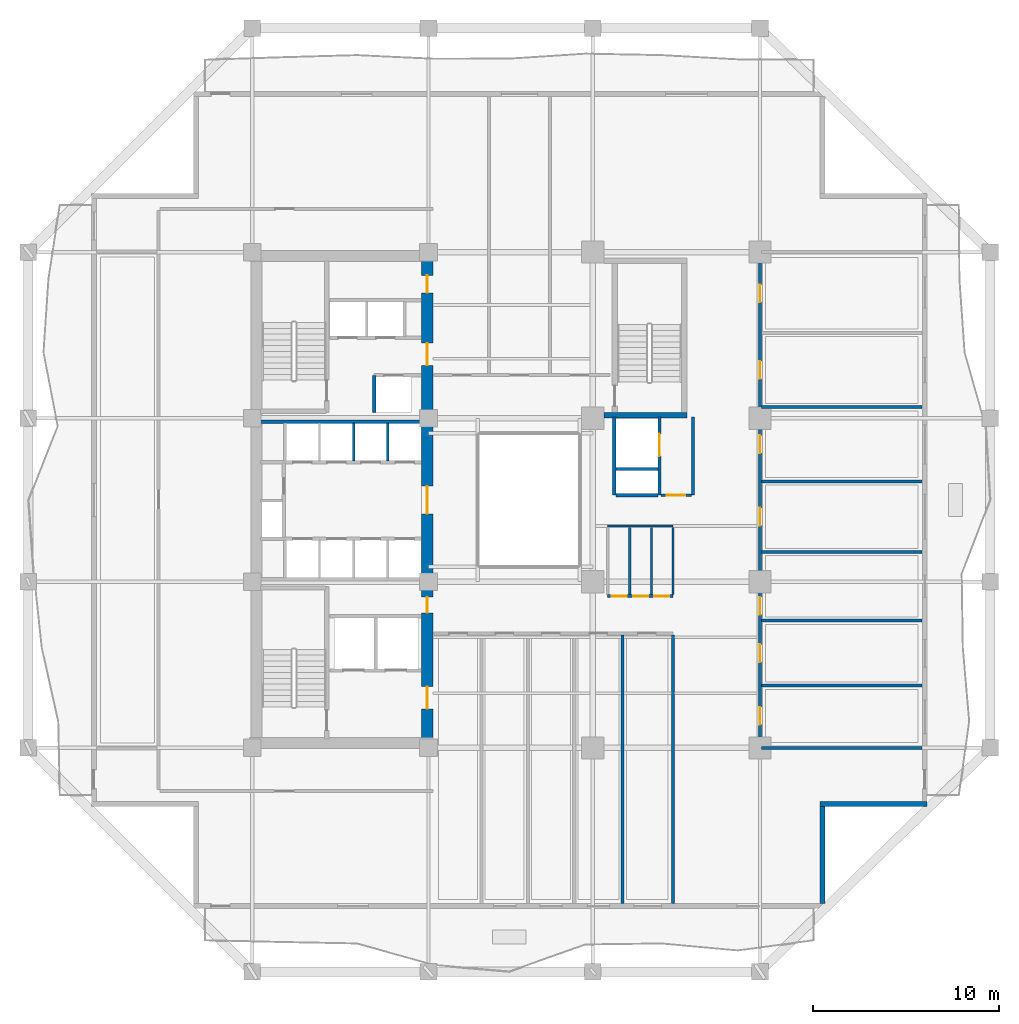
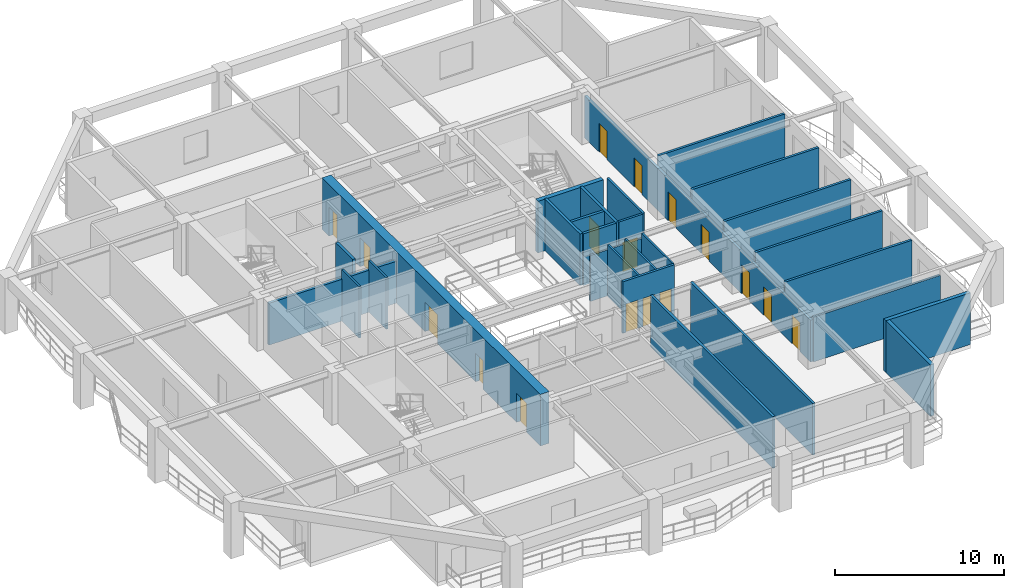
# One storey, part 4 of 13: 28 walls, 17 doors, 17 openings.
"""IFC4 building model written with IfcOpenShell, lengths in metres."""

from ifc_helpers import new_model, si_unit, direction, frame, frame_2d, origin, place, context, subcontext, project, spatial, rectangle, extrude, material, layer, layer_set, type_object, element, fill, save


model = new_model("IFC4")

# Units and contexts
model_context = context("Model", 3, precision=1e-05, world=origin(), true_north=direction((0.0, 1.0)))
body_context = subcontext(model_context, "Body", "Model", "MODEL_VIEW")
ifc_project = project(units=[si_unit("LENGTHUNIT", "METRE"), si_unit("AREAUNIT", "SQUARE_METRE"), si_unit("VOLUMEUNIT", "CUBIC_METRE"), si_unit("PLANEANGLEUNIT", "RADIAN"), si_unit("MASSUNIT", "GRAM", prefix="KILO")], contexts=[model_context])

# Site, building, storey
site_placement = place(None, origin())
site = spatial("IfcSite", under=ifc_project, at=site_placement, CompositionType="ELEMENT")
building_placement = place(site_placement, origin())
building = spatial("IfcBuilding", under=site, at=building_placement, Name="Kundavana Baori Tower", CompositionType="ELEMENT")
storey_placement = place(building_placement, frame((0.0, 0.0, 66.0)))
storey = spatial("IfcBuildingStorey", under=building, at=storey_placement, Name="L15", CompositionType="ELEMENT", Elevation=66.0)

# Wall, openings, doors
ifc_material_1 = material(Name="Concrete C60/75", Category="concrete")
ifc_layer_1 = layer(ifc_material_1, 0.60009765625, Name="WL-CORE-600")
ifc_layer_set_1 = layer_set([ifc_layer_1], Name="Concrete C60/75")
wall_type_1 = type_object("IfcWallType", Name="WL-CORE-600", PredefinedType="SHEAR", material=ifc_layer_set_1)
wall_1_placement = place(storey_placement, frame((24.8798828125, 15.739990234375, 0.0), z_axis=(0.0, 0.0, 1.0), x_axis=(0.0, 1.0, 0.0)))
wall_1 = element("IfcWall", 1, at=wall_1_placement, inside=storey, type_object=wall_type_1, Name="L15 Offset Core East Shear Wall", PredefinedType="SHEAR", context=body_context, shape_type="SweptSolid", body=[
    extrude(rectangle(XDim=25.760009765625, YDim=0.60009765625, at=frame_2d((12.8798828125, 0.0))), origin(), (0.0, 0.0, 1.0), 3.719970703125),
])
opening_1_placement = place(wall_1_placement, frame((1.610107421875, 0.0, 0.0)))
opening_1 = element("IfcOpeningElement", 2, at=opening_1_placement, cuts=wall_1, Name="Opening FD-120", PredefinedType="OPENING", context=body_context, shape_type="SweptSolid", body=[
    extrude(rectangle(XDim=1.199951171875, YDim=2.10009765625, at=frame_2d((0.60009765625, 1.050048828125))), frame((0.0, 0.31005859375, 0.0), z_axis=(0.0, -1.0, 0.0), x_axis=(1.0, 0.0, 0.0)), (0.0, 0.0, 1.0), 0.6201171875),
])
opening_2_placement = place(wall_1_placement, frame((6.780029296875, 0.0, 0.0)))
opening_2 = element("IfcOpeningElement", 3, at=opening_2_placement, cuts=wall_1, Name="Opening FD-085", PredefinedType="OPENING", context=body_context, shape_type="SweptSolid", body=[
    extrude(rectangle(XDim=0.85009765625, YDim=2.06005859375, at=frame_2d((0.425048828125, 1.030029296875))), frame((0.0, 0.31005859375, 0.0), z_axis=(0.0, -1.0, 0.0), x_axis=(1.0, 0.0, 0.0)), (0.0, 0.0, 1.0), 0.6201171875),
])
opening_3_placement = place(wall_1_placement, frame((12.110107421875, 0.0, 0.0)))
opening_3 = element("IfcOpeningElement", 4, at=opening_3_placement, cuts=wall_1, Name="Opening FD-150", PredefinedType="OPENING", context=body_context, shape_type="SweptSolid", body=[
    extrude(rectangle(XDim=1.5, YDim=2.1201171875, at=frame_2d((0.75, 1.06005859375))), frame((0.0, 0.31005859375, 0.0), z_axis=(0.0, -1.0, 0.0), x_axis=(1.0, 0.0, 0.0)), (0.0, 0.0, 1.0), 0.6201171875),
])
opening_4_placement = place(wall_1_placement, frame((20.110107421875, 0.0, 0.0)))
opening_4 = element("IfcOpeningElement", 5, at=opening_4_placement, cuts=wall_1, Name="Opening FD-122", PredefinedType="OPENING", context=body_context, shape_type="SweptSolid", body=[
    extrude(rectangle(XDim=1.199951171875, YDim=2.1201171875, at=frame_2d((0.60009765625, 1.06005859375))), frame((0.0, 0.31005859375, 0.0), z_axis=(0.0, -1.0, 0.0), x_axis=(1.0, 0.0, 0.0)), (0.0, 0.0, 1.0), 0.6201171875),
])
opening_5_placement = place(wall_1_placement, frame((24.010009765625, 0.0, 0.0)))
opening_5 = element("IfcOpeningElement", 6, at=opening_5_placement, cuts=wall_1, Name="Opening FD-095", PredefinedType="OPENING", context=body_context, shape_type="SweptSolid", body=[
    extrude(rectangle(XDim=0.949951171875, YDim=2.10009765625, at=frame_2d((0.47509765625, 1.050048828125))), frame((0.0, 0.31005859375, 0.0), z_axis=(0.0, -1.0, 0.0), x_axis=(1.0, 0.0, 0.0)), (0.0, 0.0, 1.0), 0.6201171875),
])
ifc_material_2 = material(Name="Galvanised Steel Fire-Rated Door Leaf", Category="steel")
door_type_1 = type_object("IfcDoorType", Name="DR-FD120-1200", OperationType="NOTDEFINED", PredefinedType="DOOR", material=ifc_material_2)
door_1_placement = place(opening_1_placement, frame((1.199951171875, 0.0, 0.0), z_axis=(0.0, 0.0, 1.0), x_axis=(-1.0, 0.0, 0.0)))
door_1 = element("IfcDoor", 7, at=door_1_placement, inside=storey, type_object=door_type_1, Name="DR-L15-FFLOB-E", OperationType="SINGLE_SWING_RIGHT", OverallHeight=2.10009765625, OverallWidth=1.199951171875, PredefinedType="DOOR", context=body_context, shape_type="SweptSolid", body=[
    extrude(rectangle(XDim=1.199951171875, YDim=2.10009765625, at=frame_2d((0.60009765625, 1.050048828125))), frame((0.0, 0.02490234375, 0.0), z_axis=(0.0, -1.0, 0.0), x_axis=(1.0, 0.0, 0.0)), (0.0, 0.0, 1.0), 0.050048828125),
])
fill(opening_1, door_1)
ifc_material_3 = material(Name="Galvanised Steel Fire-Rated Door Leaf", Category="steel")
door_type_2 = type_object("IfcDoorType", Name="DR-FD60-1200", OperationType="NOTDEFINED", PredefinedType="DOOR", material=ifc_material_3)
door_2_placement = place(opening_4_placement, frame((1.199951171875, 0.0, 0.0), z_axis=(0.0, 0.0, 1.0), x_axis=(-1.0, 0.0, 0.0)))
door_2 = element("IfcDoor", 8, at=door_2_placement, inside=storey, type_object=door_type_2, Name="DR-L15-HRLOB-E", OperationType="SINGLE_SWING_RIGHT", OverallHeight=2.1201171875, OverallWidth=1.199951171875, PredefinedType="DOOR", context=body_context, shape_type="SweptSolid", body=[
    extrude(rectangle(XDim=1.199951171875, YDim=2.1201171875, at=frame_2d((0.60009765625, 1.06005859375))), frame((0.0, 0.02490234375, 0.0), z_axis=(0.0, -1.0, 0.0), x_axis=(1.0, 0.0, 0.0)), (0.0, 0.0, 1.0), 0.050048828125),
])
fill(opening_4, door_2)
ifc_material_4 = material(Name="Galvanised Steel Fire-Rated Door Leaf", Category="steel")
door_type_3 = type_object("IfcDoorType", Name="DR-FD60-1500", OperationType="NOTDEFINED", PredefinedType="DOOR", material=ifc_material_4)
door_3_placement = place(opening_3_placement, frame((1.5, 0.0, 0.0), z_axis=(0.0, 0.0, 1.0), x_axis=(-1.0, 0.0, 0.0)))
door_3 = element("IfcDoor", 9, at=door_3_placement, inside=storey, type_object=door_type_3, Name="DR-L15-LIFTHALL-E", OperationType="SINGLE_SWING_LEFT", OverallHeight=2.1201171875, OverallWidth=1.5, PredefinedType="DOOR", context=body_context, shape_type="SweptSolid", body=[
    extrude(rectangle(XDim=1.5, YDim=2.1201171875, at=frame_2d((0.75, 1.06005859375))), frame((0.0, 0.02490234375, 0.0), z_axis=(0.0, -1.0, 0.0), x_axis=(1.0, 0.0, 0.0)), (0.0, 0.0, 1.0), 0.050048828125),
])
fill(opening_3, door_3)
ifc_material_5 = material(Name="Galvanised Steel Fire-Rated Door Leaf", Category="steel")
door_type_4 = type_object("IfcDoorType", Name="DR-FD60-850", OperationType="NOTDEFINED", PredefinedType="DOOR", material=ifc_material_5)
door_4_placement = place(opening_2_placement, frame((0.85009765625, 0.0, 0.0), z_axis=(0.0, 0.0, 1.0), x_axis=(-1.0, 0.0, 0.0)))
door_4 = element("IfcDoor", 10, at=door_4_placement, inside=storey, type_object=door_type_4, Name="DR-L15-CSMK1", OperationType="SINGLE_SWING_LEFT", OverallHeight=2.06005859375, OverallWidth=0.85009765625, PredefinedType="DOOR", context=body_context, shape_type="SweptSolid", body=[
    extrude(rectangle(XDim=0.85009765625, YDim=2.06005859375, at=frame_2d((0.425048828125, 1.030029296875))), frame((0.0, 0.02490234375, 0.0), z_axis=(0.0, -1.0, 0.0), x_axis=(1.0, 0.0, 0.0)), (0.0, 0.0, 1.0), 0.050048828125),
])
fill(opening_2, door_4)
ifc_material_6 = material(Name="Engineered Teak Fire-Rated Timber Door Leaf", Category="wood")
door_type_5 = type_object("IfcDoorType", Name="DR-FD60-950", OperationType="NOTDEFINED", PredefinedType="DOOR", material=ifc_material_6)
door_5_placement = place(opening_5_placement, frame((0.949951171875, 0.0, 0.0), z_axis=(0.0, 0.0, 1.0), x_axis=(-1.0, 0.0, 0.0)))
door_5 = element("IfcDoor", 11, at=door_5_placement, inside=storey, type_object=door_type_5, Name="DR-L15-CSRV1", OperationType="SINGLE_SWING_LEFT", OverallHeight=2.10009765625, OverallWidth=0.949951171875, PredefinedType="DOOR", context=body_context, shape_type="SweptSolid", body=[
    extrude(rectangle(XDim=0.949951171875, YDim=2.10009765625, at=frame_2d((0.47509765625, 1.050048828125))), frame((0.0, 0.02490234375, 0.0), z_axis=(0.0, -1.0, 0.0), x_axis=(1.0, 0.0, 0.0)), (0.0, 0.0, 1.0), 0.050048828125),
])
fill(opening_5, door_5)

# Walls
ifc_material_7 = material(Name="Kiln-Fired Terracotta Brick-Slip Masonry on Concrete C40/50", Category="masonry")
ifc_layer_2 = layer(ifc_material_7, 0.260009765625, Name="WL-EXT-BRK-260")
ifc_layer_set_2 = layer_set([ifc_layer_2], Name="Kiln-Fired Terracotta Brick-Slip Masonry on Concrete C40/50")
wall_type_2 = type_object("IfcWallType", Name="WL-EXT-BRK-260", PredefinedType="SOLIDWALL", material=ifc_layer_set_2)
wall_2_placement = place(storey_placement, frame((46.169921875, 6.860107421875, 0.0), z_axis=(0.0, 0.0, 1.0), x_axis=(0.0, 1.0, 0.0)))
element("IfcWall", 12, at=wall_2_placement, inside=storey, type_object=wall_type_2, Name="L15 Exterior Insulated Facade Wall 02", PredefinedType="SOLIDWALL", context=body_context, shape_type="SweptSolid", body=[
    extrude(rectangle(XDim=5.239990234375, YDim=0.260009765625, at=frame_2d((2.6201171875, 0.0))), origin(), (0.0, 0.0, 1.0), 3.719970703125),
])
wall_3_placement = place(storey_placement, frame((46.0400390625, 12.22998046875, 0.0), z_axis=(0.0, 0.0, 1.0), x_axis=(1.0, 0.0, 0.0)))
element("IfcWall", 13, at=wall_3_placement, inside=storey, type_object=wall_type_2, Name="L15 Exterior Insulated Facade Wall 03", PredefinedType="SOLIDWALL", context=body_context, shape_type="SweptSolid", body=[
    extrude(rectangle(XDim=5.760009765625, YDim=0.260009765625, at=frame_2d((2.8798828125, 0.0))), origin(), (0.0, 0.0, 1.0), 3.719970703125),
])
ifc_material_8 = material(Name="Acoustic Gypsum Plasterboard on Galvanised Steel Studs", Category="steel")
ifc_layer_3 = layer(ifc_material_8, 0.1201171875, Name="WL-PART-120")
ifc_layer_set_3 = layer_set([ifc_layer_3], Name="Acoustic Gypsum Plasterboard on Galvanised Steel Studs")
wall_type_3 = type_object("IfcWallType", Name="WL-PART-120", PredefinedType="PARTITIONING", material=ifc_layer_set_3)
for number, where, z_axis, x_axis, name in (
    (14, (20.919921875, 30.699951171875, 0.0), (0.0, 0.0, 1.0), (0.0, 1.0, 0.0), "WL-L15-LPMID-D2"),
    (15, (22.760009765625, 30.699951171875, 0.0), (0.0, 0.0, 1.0), (0.0, 1.0, 0.0), "WL-L15-LPMID-D3"),
):
    element("IfcWall", number, at=place(storey_placement, frame(where, z_axis=z_axis, x_axis=x_axis)), inside=storey, type_object=wall_type_3, Name=name, PredefinedType="PARTITIONING", context=body_context, shape_type="SweptSolid", body=[
        extrude(rectangle(XDim=2.050048828125, YDim=0.1201171875, at=frame_2d((1.02490234375, 0.0))), origin(), (0.0, 0.0, 1.0), 3.719970703125),
    ])
ifc_material_9 = material(Name="Fire-Rated Gypsum Drywall on Galvanised Steel Studs", Category="steel")
ifc_layer_4 = layer(ifc_material_9, 0.14990234375, Name="WL-PART-150")
ifc_layer_set_4 = layer_set([ifc_layer_4], Name="Fire-Rated Gypsum Drywall on Galvanised Steel Studs")
wall_type_4 = type_object("IfcWallType", Name="WL-PART-150", PredefinedType="PARTITIONING", material=ifc_layer_set_4)
wall_4_placement = place(storey_placement, frame((39.199951171875, 28.860107421875, 0.0), z_axis=(0.0, 0.0, 1.0), x_axis=(0.0, 1.0, 0.0)))
element("IfcWall", 16, at=wall_4_placement, inside=storey, type_object=wall_type_4, Name="WL-L15-SVLOB-E", PredefinedType="PARTITIONING", context=body_context, shape_type="SweptSolid", body=[
    extrude(rectangle(XDim=4.219970703125, YDim=0.14990234375, at=frame_2d((2.10986328125, 0.0))), origin(), (0.0, 0.0, 1.0), 3.719970703125),
])

# Wall, opening, door
wall_5_placement = place(storey_placement, frame((37.47998046875, 28.860107421875, 0.0), z_axis=(0.0, 0.0, 1.0), x_axis=(1.0, 0.0, 0.0)))
wall_5 = element("IfcWall", 17, at=wall_5_placement, inside=storey, type_object=wall_type_4, Name="WL-L15-SVLOB-S", PredefinedType="PARTITIONING", context=body_context, shape_type="SweptSolid", body=[
    extrude(rectangle(XDim=1.64013671875, YDim=0.14990234375, at=frame_2d((0.820068359375, 0.0))), origin(), (0.0, 0.0, 1.0), 3.719970703125),
])
opening_6_placement = place(wall_5_placement, frame((0.300048828125, 0.0, 0.0)))
opening_6 = element("IfcOpeningElement", 18, at=opening_6_placement, cuts=wall_5, Name="Opening FD-100", PredefinedType="OPENING", context=body_context, shape_type="SweptSolid", body=[
    extrude(rectangle(XDim=1.0, YDim=2.10009765625, at=frame_2d((0.5, 1.050048828125))), frame((0.0, 0.0849609375, 0.0), z_axis=(0.0, -1.0, 0.0), x_axis=(1.0, 0.0, 0.0)), (0.0, 0.0, 1.0), 0.169921875),
])
ifc_material_10 = material(Name="Engineered Teak Fire-Rated Timber Door Leaf", Category="wood")
door_type_6 = type_object("IfcDoorType", Name="DR-FD60-1000", OperationType="NOTDEFINED", PredefinedType="DOOR", material=ifc_material_10)
door_6_placement = place(opening_6_placement, origin())
door_6 = element("IfcDoor", 19, at=door_6_placement, inside=storey, type_object=door_type_6, Name="DR-L15-SVLOB-OUT", OperationType="SINGLE_SWING_LEFT", OverallHeight=2.10009765625, OverallWidth=1.0, PredefinedType="DOOR", context=body_context, shape_type="SweptSolid", body=[
    extrude(rectangle(XDim=1.0, YDim=2.10009765625, at=frame_2d((0.5, 1.050048828125))), frame((0.0, 0.02490234375, 0.0), z_axis=(0.0, -1.0, 0.0), x_axis=(1.0, 0.0, 0.0)), (0.0, 0.0, 1.0), 0.050048828125),
])
fill(opening_6, door_6)

# Wall
ifc_material_11 = material(Name="Fire-Rated Gypsum Drywall on Galvanised Steel Studs", Category="steel")
ifc_layer_5 = layer(ifc_material_11, 0.1650390625, Name="WL-PART-165")
ifc_layer_set_5 = layer_set([ifc_layer_5], Name="Fire-Rated Gypsum Drywall on Galvanised Steel Studs")
wall_type_5 = type_object("IfcWallType", Name="WL-PART-165", PredefinedType="PARTITIONING", material=ifc_layer_set_5)
wall_6_placement = place(storey_placement, frame((38.1201171875, 6.8798828125, 0.0), z_axis=(0.0, 0.0, 1.0), x_axis=(0.0, 1.0, 0.0)))
element("IfcWall", 20, at=wall_6_placement, inside=storey, type_object=wall_type_5, Name="WL-L15-OFSEND", PredefinedType="PARTITIONING", context=body_context, shape_type="SweptSolid", body=[
    extrude(rectangle(XDim=14.460205078125, YDim=0.1650390625, at=frame_2d((7.22998046875, 0.0))), origin(), (0.0, 0.0, 1.0), 3.719970703125),
])

# Wall, openings, doors
wall_7_placement = place(storey_placement, frame((34.60009765625, 23.419921875, 0.0), z_axis=(0.0, 0.0, 1.0), x_axis=(1.0, 0.0, 0.0)))
wall_7 = element("IfcWall", 21, at=wall_7_placement, inside=storey, type_object=wall_type_5, Name="WL-L15-OFST", PredefinedType="PARTITIONING", context=body_context, shape_type="SweptSolid", body=[
    extrude(rectangle(XDim=3.52001953125, YDim=0.1650390625, at=frame_2d((1.760009765625, 0.0))), origin(), (0.0, 0.0, 1.0), 3.719970703125),
])
opening_7_placement = place(wall_7_placement, frame((0.219970703125, 0.0, 0.0)))
opening_7 = element("IfcOpeningElement", 22, at=opening_7_placement, cuts=wall_7, Name="Opening WD-080", PredefinedType="OPENING", context=body_context, shape_type="SweptSolid", body=[
    extrude(rectangle(XDim=0.800048828125, YDim=2.050048828125, at=frame_2d((0.39990234375, 1.02490234375))), frame((0.0, 0.092529296875, 0.0), z_axis=(0.0, -1.0, 0.0), x_axis=(1.0, 0.0, 0.0)), (0.0, 0.0, 1.0), 0.18505859375),
])
opening_8_placement = place(wall_7_placement, frame((1.3798828125, 0.0, 0.0)))
opening_8 = element("IfcOpeningElement", 23, at=opening_8_placement, cuts=wall_7, Name="Opening WD-080", PredefinedType="OPENING", context=body_context, shape_type="SweptSolid", body=[
    extrude(rectangle(XDim=0.800048828125, YDim=2.050048828125, at=frame_2d((0.39990234375, 1.02490234375))), frame((0.0, 0.092529296875, 0.0), z_axis=(0.0, -1.0, 0.0), x_axis=(1.0, 0.0, 0.0)), (0.0, 0.0, 1.0), 0.18505859375),
])
opening_9_placement = place(wall_7_placement, frame((2.52001953125, 0.0, 0.0)))
opening_9 = element("IfcOpeningElement", 24, at=opening_9_placement, cuts=wall_7, Name="Opening WD-080", PredefinedType="OPENING", context=body_context, shape_type="SweptSolid", body=[
    extrude(rectangle(XDim=0.800048828125, YDim=2.050048828125, at=frame_2d((0.39990234375, 1.02490234375))), frame((0.0, 0.092529296875, 0.0), z_axis=(0.0, -1.0, 0.0), x_axis=(1.0, 0.0, 0.0)), (0.0, 0.0, 1.0), 0.18505859375),
])
ifc_material_12 = material(Name="Engineered Teak Solid-Core Timber Veneer", Category="wood")
door_type_7 = type_object("IfcDoorType", Name="DR-WET-800", OperationType="NOTDEFINED", PredefinedType="DOOR", material=ifc_material_12)
door_7_placement = place(opening_7_placement, origin())
door_7 = element("IfcDoor", 25, at=door_7_placement, inside=storey, type_object=door_type_7, Name="DR-L15-WCM", OperationType="SINGLE_SWING_LEFT", OverallHeight=2.050048828125, OverallWidth=0.800048828125, PredefinedType="DOOR", context=body_context, shape_type="SweptSolid", body=[
    extrude(rectangle(XDim=0.800048828125, YDim=2.050048828125, at=frame_2d((0.39990234375, 1.02490234375))), frame((0.0, 0.02490234375, 0.0), z_axis=(0.0, -1.0, 0.0), x_axis=(1.0, 0.0, 0.0)), (0.0, 0.0, 1.0), 0.050048828125),
])
fill(opening_7, door_7)
door_8_placement = place(opening_8_placement, origin())
door_8 = element("IfcDoor", 26, at=door_8_placement, inside=storey, type_object=door_type_7, Name="DR-L15-WCA", OperationType="SINGLE_SWING_RIGHT", OverallHeight=2.050048828125, OverallWidth=0.800048828125, PredefinedType="DOOR", context=body_context, shape_type="SweptSolid", body=[
    extrude(rectangle(XDim=0.800048828125, YDim=2.050048828125, at=frame_2d((0.39990234375, 1.02490234375))), frame((0.0, 0.02490234375, 0.0), z_axis=(0.0, -1.0, 0.0), x_axis=(1.0, 0.0, 0.0)), (0.0, 0.0, 1.0), 0.050048828125),
])
fill(opening_8, door_8)
door_9_placement = place(opening_9_placement, origin())
door_9 = element("IfcDoor", 27, at=door_9_placement, inside=storey, type_object=door_type_7, Name="DR-L15-PNT", OperationType="SINGLE_SWING_LEFT", OverallHeight=2.050048828125, OverallWidth=0.800048828125, PredefinedType="DOOR", context=body_context, shape_type="SweptSolid", body=[
    extrude(rectangle(XDim=0.800048828125, YDim=2.050048828125, at=frame_2d((0.39990234375, 1.02490234375))), frame((0.0, 0.02490234375, 0.0), z_axis=(0.0, -1.0, 0.0), x_axis=(1.0, 0.0, 0.0)), (0.0, 0.0, 1.0), 0.050048828125),
])
fill(opening_9, door_9)

wall_8_placement = place(storey_placement, frame((42.800048828125, 15.25, 0.0), z_axis=(0.0, 0.0, 1.0), x_axis=(0.0, 1.0, 0.0)))
wall_8 = element("IfcWall", 28, at=wall_8_placement, inside=storey, type_object=wall_type_5, Name="WL-L15-OFE", PredefinedType="PARTITIONING", context=body_context, shape_type="SweptSolid", body=[
    extrude(rectangle(XDim=26.699951171875, YDim=0.1650390625, at=frame_2d((13.35009765625, 0.0))), origin(), (0.0, 0.0, 1.0), 3.02001953125),
])
opening_10_placement = place(wall_8_placement, frame((1.25, 0.0, 0.0)))
opening_10 = element("IfcOpeningElement", 29, at=opening_10_placement, cuts=wall_8, Name="Opening ID-095", PredefinedType="OPENING", context=body_context, shape_type="SweptSolid", body=[
    extrude(rectangle(XDim=0.949951171875, YDim=2.080078125, at=frame_2d((0.47509765625, 1.0400390625))), frame((0.0, 0.092529296875, 0.0), z_axis=(0.0, -1.0, 0.0), x_axis=(1.0, 0.0, 0.0)), (0.0, 0.0, 1.0), 0.18505859375),
])
opening_11_placement = place(wall_8_placement, frame((4.625, 0.0, 0.0)))
opening_11 = element("IfcOpeningElement", 30, at=opening_11_placement, cuts=wall_8, Name="Opening ID-095", PredefinedType="OPENING", context=body_context, shape_type="SweptSolid", body=[
    extrude(rectangle(XDim=0.949951171875, YDim=2.080078125, at=frame_2d((0.47509765625, 1.0400390625))), frame((0.0, 0.092529296875, 0.0), z_axis=(0.0, -1.0, 0.0), x_axis=(1.0, 0.0, 0.0)), (0.0, 0.0, 1.0), 0.18505859375),
])
opening_12_placement = place(wall_8_placement, frame((7.175048828125, 0.0, 0.0)))
opening_12 = element("IfcOpeningElement", 31, at=opening_12_placement, cuts=wall_8, Name="Opening ID-095", PredefinedType="OPENING", context=body_context, shape_type="SweptSolid", body=[
    extrude(rectangle(XDim=0.949951171875, YDim=2.080078125, at=frame_2d((0.47509765625, 1.0400390625))), frame((0.0, 0.092529296875, 0.0), z_axis=(0.0, -1.0, 0.0), x_axis=(1.0, 0.0, 0.0)), (0.0, 0.0, 1.0), 0.18505859375),
])
opening_13_placement = place(wall_8_placement, frame((11.97509765625, 0.0, 0.0)))
opening_13 = element("IfcOpeningElement", 32, at=opening_13_placement, cuts=wall_8, Name="Opening ID-095", PredefinedType="OPENING", context=body_context, shape_type="SweptSolid", body=[
    extrude(rectangle(XDim=0.949951171875, YDim=2.080078125, at=frame_2d((0.47509765625, 1.0400390625))), frame((0.0, 0.092529296875, 0.0), z_axis=(0.0, -1.0, 0.0), x_axis=(1.0, 0.0, 0.0)), (0.0, 0.0, 1.0), 0.18505859375),
])
opening_14_placement = place(wall_8_placement, frame((15.875, 0.0, 0.0)))
opening_14 = element("IfcOpeningElement", 33, at=opening_14_placement, cuts=wall_8, Name="Opening ID-095", PredefinedType="OPENING", context=body_context, shape_type="SweptSolid", body=[
    extrude(rectangle(XDim=0.949951171875, YDim=2.080078125, at=frame_2d((0.47509765625, 1.0400390625))), frame((0.0, 0.092529296875, 0.0), z_axis=(0.0, -1.0, 0.0), x_axis=(1.0, 0.0, 0.0)), (0.0, 0.0, 1.0), 0.18505859375),
])
opening_15_placement = place(wall_8_placement, frame((19.875, 0.0, 0.0)))
opening_15 = element("IfcOpeningElement", 34, at=opening_15_placement, cuts=wall_8, Name="Opening ID-095", PredefinedType="OPENING", context=body_context, shape_type="SweptSolid", body=[
    extrude(rectangle(XDim=0.949951171875, YDim=2.080078125, at=frame_2d((0.47509765625, 1.0400390625))), frame((0.0, 0.092529296875, 0.0), z_axis=(0.0, -1.0, 0.0), x_axis=(1.0, 0.0, 0.0)), (0.0, 0.0, 1.0), 0.18505859375),
])
opening_16_placement = place(wall_8_placement, frame((24.0, 0.0, 0.0)))
opening_16 = element("IfcOpeningElement", 35, at=opening_16_placement, cuts=wall_8, Name="Opening ID-095", PredefinedType="OPENING", context=body_context, shape_type="SweptSolid", body=[
    extrude(rectangle(XDim=0.949951171875, YDim=2.080078125, at=frame_2d((0.47509765625, 1.0400390625))), frame((0.0, 0.092529296875, 0.0), z_axis=(0.0, -1.0, 0.0), x_axis=(1.0, 0.0, 0.0)), (0.0, 0.0, 1.0), 0.18505859375),
])
ifc_material_13 = material(Name="Engineered Teak Solid-Core Timber Veneer", Category="wood")
door_type_8 = type_object("IfcDoorType", Name="DR-INT-950", OperationType="NOTDEFINED", PredefinedType="DOOR", material=ifc_material_13)
door_10_placement = place(opening_10_placement, origin())
door_10 = element("IfcDoor", 36, at=door_10_placement, inside=storey, type_object=door_type_8, Name="DR-L15-OFE1", OperationType="SINGLE_SWING_RIGHT", OverallHeight=2.080078125, OverallWidth=0.949951171875, PredefinedType="DOOR", context=body_context, shape_type="SweptSolid", body=[
    extrude(rectangle(XDim=0.949951171875, YDim=2.080078125, at=frame_2d((0.47509765625, 1.0400390625))), frame((0.0, 0.02490234375, 0.0), z_axis=(0.0, -1.0, 0.0), x_axis=(1.0, 0.0, 0.0)), (0.0, 0.0, 1.0), 0.050048828125),
])
fill(opening_10, door_10)
door_11_placement = place(opening_11_placement, origin())
door_11 = element("IfcDoor", 37, at=door_11_placement, inside=storey, type_object=door_type_8, Name="DR-L15-OFE2", OperationType="SINGLE_SWING_LEFT", OverallHeight=2.080078125, OverallWidth=0.949951171875, PredefinedType="DOOR", context=body_context, shape_type="SweptSolid", body=[
    extrude(rectangle(XDim=0.949951171875, YDim=2.080078125, at=frame_2d((0.47509765625, 1.0400390625))), frame((0.0, 0.02490234375, 0.0), z_axis=(0.0, -1.0, 0.0), x_axis=(1.0, 0.0, 0.0)), (0.0, 0.0, 1.0), 0.050048828125),
])
fill(opening_11, door_11)
door_12_placement = place(opening_12_placement, origin())
door_12 = element("IfcDoor", 38, at=door_12_placement, inside=storey, type_object=door_type_8, Name="DR-L15-OFE3", OperationType="SINGLE_SWING_RIGHT", OverallHeight=2.080078125, OverallWidth=0.949951171875, PredefinedType="DOOR", context=body_context, shape_type="SweptSolid", body=[
    extrude(rectangle(XDim=0.949951171875, YDim=2.080078125, at=frame_2d((0.47509765625, 1.0400390625))), frame((0.0, 0.02490234375, 0.0), z_axis=(0.0, -1.0, 0.0), x_axis=(1.0, 0.0, 0.0)), (0.0, 0.0, 1.0), 0.050048828125),
])
fill(opening_12, door_12)
door_13_placement = place(opening_13_placement, origin())
door_13 = element("IfcDoor", 39, at=door_13_placement, inside=storey, type_object=door_type_8, Name="DR-L15-OFE4", OperationType="SINGLE_SWING_LEFT", OverallHeight=2.080078125, OverallWidth=0.949951171875, PredefinedType="DOOR", context=body_context, shape_type="SweptSolid", body=[
    extrude(rectangle(XDim=0.949951171875, YDim=2.080078125, at=frame_2d((0.47509765625, 1.0400390625))), frame((0.0, 0.02490234375, 0.0), z_axis=(0.0, -1.0, 0.0), x_axis=(1.0, 0.0, 0.0)), (0.0, 0.0, 1.0), 0.050048828125),
])
fill(opening_13, door_13)
door_14_placement = place(opening_14_placement, origin())
door_14 = element("IfcDoor", 40, at=door_14_placement, inside=storey, type_object=door_type_8, Name="DR-L15-OFE5", OperationType="SINGLE_SWING_RIGHT", OverallHeight=2.080078125, OverallWidth=0.949951171875, PredefinedType="DOOR", context=body_context, shape_type="SweptSolid", body=[
    extrude(rectangle(XDim=0.949951171875, YDim=2.080078125, at=frame_2d((0.47509765625, 1.0400390625))), frame((0.0, 0.02490234375, 0.0), z_axis=(0.0, -1.0, 0.0), x_axis=(1.0, 0.0, 0.0)), (0.0, 0.0, 1.0), 0.050048828125),
])
fill(opening_14, door_14)
door_15_placement = place(opening_15_placement, origin())
door_15 = element("IfcDoor", 41, at=door_15_placement, inside=storey, type_object=door_type_8, Name="DR-L15-OFE6", OperationType="SINGLE_SWING_LEFT", OverallHeight=2.080078125, OverallWidth=0.949951171875, PredefinedType="DOOR", context=body_context, shape_type="SweptSolid", body=[
    extrude(rectangle(XDim=0.949951171875, YDim=2.080078125, at=frame_2d((0.47509765625, 1.0400390625))), frame((0.0, 0.02490234375, 0.0), z_axis=(0.0, -1.0, 0.0), x_axis=(1.0, 0.0, 0.0)), (0.0, 0.0, 1.0), 0.050048828125),
])
fill(opening_15, door_15)
door_16_placement = place(opening_16_placement, origin())
door_16 = element("IfcDoor", 42, at=door_16_placement, inside=storey, type_object=door_type_8, Name="DR-L15-OFE7", OperationType="SINGLE_SWING_RIGHT", OverallHeight=2.080078125, OverallWidth=0.949951171875, PredefinedType="DOOR", context=body_context, shape_type="SweptSolid", body=[
    extrude(rectangle(XDim=0.949951171875, YDim=2.080078125, at=frame_2d((0.47509765625, 1.0400390625))), frame((0.0, 0.02490234375, 0.0), z_axis=(0.0, -1.0, 0.0), x_axis=(1.0, 0.0, 0.0)), (0.0, 0.0, 1.0), 0.050048828125),
])
fill(opening_16, door_16)

# Walls
wall_9_placement = place(storey_placement, frame((42.8798828125, 15.25, 0.0), z_axis=(0.0, 0.0, 1.0), x_axis=(1.0, 0.0, 0.0)))
element("IfcWall", 43, at=wall_9_placement, inside=storey, type_object=wall_type_5, Name="WL-L15-OFES", PredefinedType="PARTITIONING", context=body_context, shape_type="SweptSolid", body=[
    extrude(rectangle(XDim=8.64013671875, YDim=0.1650390625, at=frame_2d((4.320068359375, 0.0))), origin(), (0.0, 0.0, 1.0), 3.219970703125),
])
wall_10_placement = place(storey_placement, frame((35.39990234375, 6.8798828125, 0.0), z_axis=(0.0, 0.0, 1.0), x_axis=(0.0, 1.0, 0.0)))
element("IfcWall", 44, at=wall_10_placement, inside=storey, type_object=wall_type_5, Name="WL-L15-SD4", PredefinedType="PARTITIONING", context=body_context, shape_type="SweptSolid", body=[
    extrude(rectangle(XDim=14.460205078125, YDim=0.1650390625, at=frame_2d((7.22998046875, 0.0))), origin(), (0.0, 0.0, 1.0), 3.719970703125),
])
for number, where, z_axis, x_axis, name in (
    (45, (42.8798828125, 18.60009765625, 0.0), (0.0, 0.0, 1.0), (1.0, 0.0, 0.0), "WL-L15-ED1"),
    (46, (42.8798828125, 22.10009765625, 0.0), (0.0, 0.0, 1.0), (1.0, 0.0, 0.0), "WL-L15-ED2"),
    (47, (42.8798828125, 25.800048828125, 0.0), (0.0, 0.0, 1.0), (1.0, 0.0, 0.0), "WL-L15-ED3"),
    (48, (42.8798828125, 29.60009765625, 0.0), (0.0, 0.0, 1.0), (1.0, 0.0, 0.0), "WL-L15-ED4"),
    (49, (42.8798828125, 33.60009765625, 0.0), (0.0, 0.0, 1.0), (1.0, 0.0, 0.0), "WL-L15-ED5"),
):
    element("IfcWall", number, at=place(storey_placement, frame(where, z_axis=z_axis, x_axis=x_axis)), inside=storey, type_object=wall_type_5, Name=name, PredefinedType="PARTITIONING", context=body_context, shape_type="SweptSolid", body=[
        extrude(rectangle(XDim=8.64013671875, YDim=0.1650390625, at=frame_2d((4.320068359375, 0.0))), origin(), (0.0, 0.0, 1.0), 3.719970703125),
    ])
ifc_material_14 = material(Name="Autoclaved Aerated Concrete Blockwork Masonry", Category="masonry")
ifc_layer_6 = layer(ifc_material_14, 0.179931640625, Name="WL-SHAFT-180")
ifc_layer_set_6 = layer_set([ifc_layer_6], Name="Autoclaved Aerated Concrete Blockwork Masonry")
wall_type_6 = type_object("IfcWallType", Name="WL-SHAFT-180", PredefinedType="SOLIDWALL", material=ifc_layer_set_6)
wall_11_placement = place(storey_placement, frame((15.89990234375, 32.820068359375, 0.0), z_axis=(0.0, 0.0, 1.0), x_axis=(1.0, 0.0, 0.0)))
element("IfcWall", 50, at=wall_11_placement, inside=storey, type_object=wall_type_6, Name="WL-L15-LPMID-N", PredefinedType="SOLIDWALL", context=body_context, shape_type="SweptSolid", body=[
    extrude(rectangle(XDim=8.68017578125, YDim=0.179931640625, at=frame_2d((4.340087890625, 0.0))), origin(), (0.0, 0.0, 1.0), 3.02001953125),
])
wall_12_placement = place(storey_placement, frame((22.02001953125, 33.300048828125, 0.0), z_axis=(0.0, 0.0, 1.0), x_axis=(0.0, 1.0, 0.0)))
element("IfcWall", 51, at=wall_12_placement, inside=storey, type_object=wall_type_6, Name="WL-L15-LP11-W", PredefinedType="SOLIDWALL", context=body_context, shape_type="SweptSolid", body=[
    extrude(rectangle(XDim=2.010009765625, YDim=0.179931640625, at=frame_2d((1.0048828125, 0.0))), origin(), (0.0, 0.0, 1.0), 3.719970703125),
])
wall_13_placement = place(storey_placement, frame((34.9599609375, 28.860107421875, 0.0), z_axis=(0.0, 0.0, 1.0), x_axis=(0.0, 1.0, 0.0)))
element("IfcWall", 52, at=wall_13_placement, inside=storey, type_object=wall_type_6, Name="WL-L15-SVL-W", PredefinedType="SOLIDWALL", context=body_context, shape_type="SweptSolid", body=[
    extrude(rectangle(XDim=4.219970703125, YDim=0.179931640625, at=frame_2d((2.10986328125, 0.0))), origin(), (0.0, 0.0, 1.0), 3.719970703125),
])

# Wall, opening, door
wall_14_placement = place(storey_placement, frame((37.389892578125, 28.860107421875, 0.0), z_axis=(0.0, 0.0, 1.0), x_axis=(0.0, 1.0, 0.0)))
wall_14 = element("IfcWall", 53, at=wall_14_placement, inside=storey, type_object=wall_type_6, Name="WL-L15-SVL-E", PredefinedType="SOLIDWALL", context=body_context, shape_type="SweptSolid", body=[
    extrude(rectangle(XDim=4.219970703125, YDim=0.179931640625, at=frame_2d((2.10986328125, 0.0))), origin(), (0.0, 0.0, 1.0), 3.719970703125),
])
opening_17_placement = place(wall_14_placement, frame((2.10009765625, 0.0, 0.0)))
opening_17 = element("IfcOpeningElement", 54, at=opening_17_placement, cuts=wall_14, Name="Opening LD-120", PredefinedType="OPENING", context=body_context, shape_type="SweptSolid", body=[
    extrude(rectangle(XDim=1.199951171875, YDim=2.1201171875, at=frame_2d((0.60009765625, 1.06005859375))), frame((0.0, 0.10009765625, 0.0), z_axis=(0.0, -1.0, 0.0), x_axis=(1.0, 0.0, 0.0)), (0.0, 0.0, 1.0), 0.199951171875),
])
ifc_material_15 = material(Name="Galvanised Steel Fire-Rated Door Leaf", Category="steel")
door_type_9 = type_object("IfcDoorType", Name="DR-SLIDE-LD1200", OperationType="NOTDEFINED", PredefinedType="DOOR", material=ifc_material_15)
door_17_placement = place(opening_17_placement, frame((1.199951171875, 0.0, 0.0), z_axis=(0.0, 0.0, 1.0), x_axis=(-1.0, 0.0, 0.0)))
door_17 = element("IfcDoor", 55, at=door_17_placement, inside=storey, type_object=door_type_9, Name="DR-L15-LD-SVL1", OperationType="DOUBLE_DOOR_SLIDING", OverallHeight=2.1201171875, OverallWidth=1.199951171875, PredefinedType="DOOR", context=body_context, shape_type="SweptSolid", body=[
    extrude(rectangle(XDim=1.199951171875, YDim=2.1201171875, at=frame_2d((0.60009765625, 1.06005859375))), frame((0.0, 0.02490234375, 0.0), z_axis=(0.0, -1.0, 0.0), x_axis=(1.0, 0.0, 0.0)), (0.0, 0.0, 1.0), 0.050048828125),
])
fill(opening_17, door_17)

# Walls
for number, where, z_axis, x_axis, name in (
    (56, (35.050048828125, 28.860107421875, 0.0), (0.0, 0.0, 1.0), (1.0, 0.0, 0.0), "WL-L15-SVL-S"),
    (57, (35.050048828125, 30.27001953125, 0.0), (0.0, 0.0, 1.0), (1.0, 0.0, 0.0), "WL-L15-SVL-M"),
):
    element("IfcWall", number, at=place(storey_placement, frame(where, z_axis=z_axis, x_axis=x_axis)), inside=storey, type_object=wall_type_6, Name=name, PredefinedType="SOLIDWALL", context=body_context, shape_type="SweptSolid", body=[
        extrude(rectangle(XDim=2.25, YDim=0.179931640625, at=frame_2d((1.125, 0.0))), origin(), (0.0, 0.0, 1.0), 3.719970703125),
    ])
ifc_material_16 = material(Name="Concrete C50/60", Category="concrete")
ifc_layer_7 = layer(ifc_material_16, 0.300048828125, Name="WL-ST3-300")
ifc_layer_set_7 = layer_set([ifc_layer_7], Name="Concrete C50/60")
wall_type_7 = type_object("IfcWallType", Name="WL-ST3-300", PredefinedType="SHEAR", material=ifc_layer_set_7)
wall_15_placement = place(storey_placement, frame((34.39990234375, 33.159912109375, 0.0), z_axis=(0.0, 0.0, 1.0), x_axis=(1.0, 0.0, 0.0)))
element("IfcWall", 58, at=wall_15_placement, inside=storey, type_object=wall_type_7, Name="L15 Stair ST3 South Shear Wall", PredefinedType="SHEAR", context=body_context, shape_type="SweptSolid", body=[
    extrude(rectangle(XDim=4.47021484375, YDim=0.300048828125, at=frame_2d((2.235107421875, 0.0))), origin(), (0.0, 0.0, 1.0), 3.719970703125),
])
ifc_material_17 = material(Name="Autoclaved Aerated Concrete Blockwork Masonry", Category="masonry")
ifc_layer_8 = layer(ifc_material_17, 0.125, Name="WL-WET-120")
ifc_layer_set_8 = layer_set([ifc_layer_8], Name="Autoclaved Aerated Concrete Blockwork Masonry")
wall_type_8 = type_object("IfcWallType", Name="WL-WET-120", PredefinedType="PLUMBINGWALL", material=ifc_layer_set_8)
wall_16_placement = place(storey_placement, frame((34.60009765625, 27.199951171875, 0.0), z_axis=(0.0, 0.0, 1.0), x_axis=(1.0, 0.0, 0.0)))
element("IfcWall", 59, at=wall_16_placement, inside=storey, type_object=wall_type_8, Name="WL-L15-WCN", PredefinedType="PLUMBINGWALL", context=body_context, shape_type="SweptSolid", body=[
    extrude(rectangle(XDim=3.52001953125, YDim=0.125, at=frame_2d((1.760009765625, 0.0))), origin(), (0.0, 0.0, 1.0), 3.320068359375),
])
for number, where, z_axis, x_axis, name in (
    (60, (38.1201171875, 23.5, 0.0), (0.0, 0.0, 1.0), (0.0, 1.0, 0.0), "WL-L15-WCE"),
    (61, (35.780029296875, 23.5, 0.0), (0.0, 0.0, 1.0), (0.0, 1.0, 0.0), "WL-L15-WCD1"),
    (62, (36.9599609375, 23.5, 0.0), (0.0, 0.0, 1.0), (0.0, 1.0, 0.0), "WL-L15-WCD2"),
):
    element("IfcWall", number, at=place(storey_placement, frame(where, z_axis=z_axis, x_axis=x_axis)), inside=storey, type_object=wall_type_8, Name=name, PredefinedType="PLUMBINGWALL", context=body_context, shape_type="SweptSolid", body=[
        extrude(rectangle(XDim=3.6201171875, YDim=0.125, at=frame_2d((1.81005859375, 0.0))), origin(), (0.0, 0.0, 1.0), 3.719970703125),
    ])

save(model, "model.ifc")
